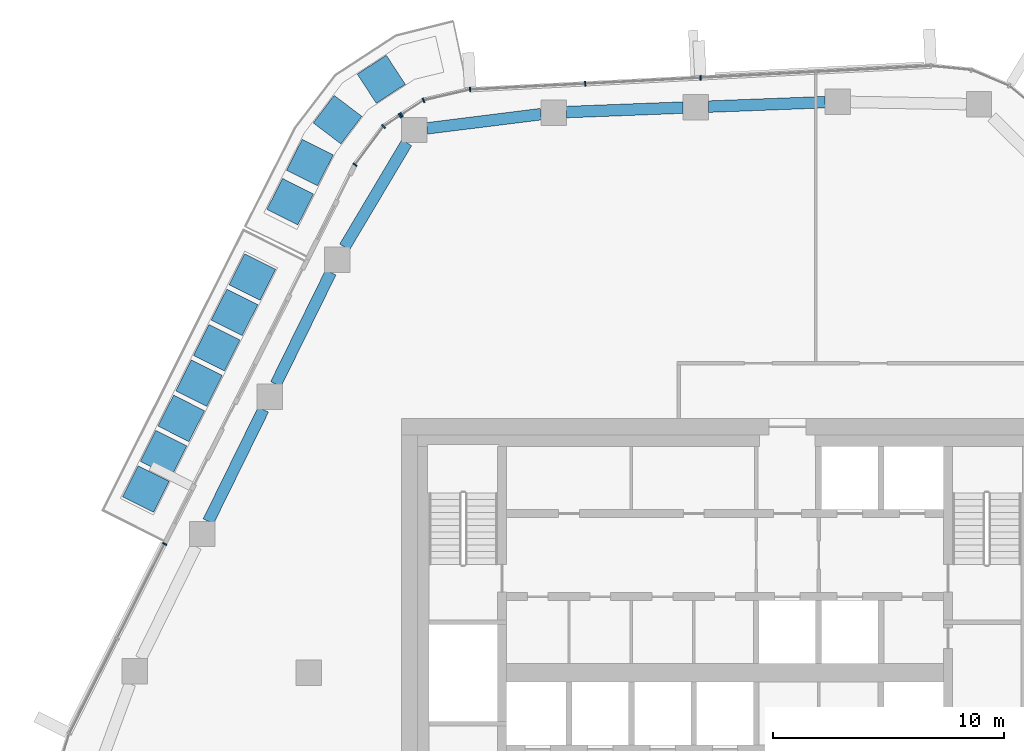
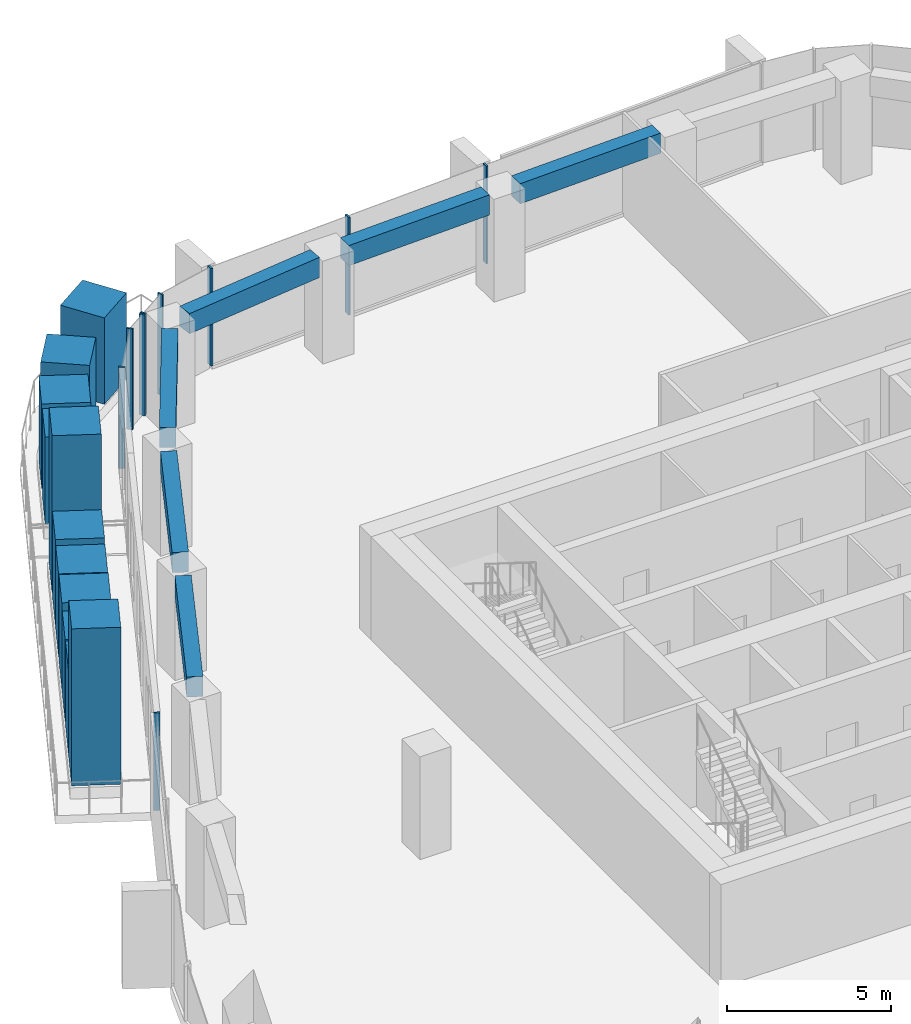
# One storey, part 7 of 22: 20 members, 6 beams, 4 elements without a shape of their own.
"""IFC4 building model written with IfcOpenShell, lengths in metres."""

from ifc_helpers import new_model, si_unit, direction, frame, origin, origin_2d, place, context, subcontext, project, spatial, rectangle, extrude, material, layer, layer_set, material_profile, profile_set, type_object, element, aggregate, save


model = new_model("IFC4")

# Units and contexts
model_context = context("Model", 3, precision=1e-05, world=origin(), true_north=direction((0.0, 1.0)))
body_context = subcontext(model_context, "Body", "Model", "MODEL_VIEW")
ifc_project = project(units=[si_unit("LENGTHUNIT", "METRE"), si_unit("AREAUNIT", "SQUARE_METRE"), si_unit("VOLUMEUNIT", "CUBIC_METRE"), si_unit("PLANEANGLEUNIT", "RADIAN"), si_unit("MASSUNIT", "GRAM", prefix="KILO")], contexts=[model_context])

# Site, building, storey
site_placement = place(None, origin())
site = spatial("IfcSite", under=ifc_project, at=site_placement, CompositionType="ELEMENT")
building_placement = place(site_placement, origin())
building = spatial("IfcBuilding", under=site, at=building_placement, Name="Dongbaek Canopy Tower", CompositionType="ELEMENT")
storey_placement = place(building_placement, frame((0.0, 0.0, 237.0)))
storey = spatial("IfcBuildingStorey", under=building, at=storey_placement, Name="L49", CompositionType="ELEMENT", Elevation=237.0)

# Curtain wall, members
ifc_material_1 = material(Name="Aluminium 6063-T6 pale anodised", Category="aluminium")
ifc_layer = layer(ifc_material_1, 0.199951171875)
ifc_layer_set = layer_set([ifc_layer], Name="CW-1 unitised tower curtain wall")
curtain_wall_type = type_object("IfcCurtainWallType", Name="CW-1 unitised tower curtain wall", PredefinedType="NOTDEFINED", material=ifc_layer_set)
curtain_wall_1_placement = place(storey_placement, origin())
curtain_wall_1 = element("IfcCurtainWall", 1, at=curtain_wall_1_placement, inside=storey, type_object=curtain_wall_type, Name="CW-1 curtain wall F1.1", PredefinedType="NOTDEFINED")
ifc_material_2 = material(Name="Aluminium 6063-T6 pale anodised", Category="aluminium")
ifc_material_profile_1 = material_profile(ifc_material_2, rectangle(XDim=0.199951171875, YDim=0.06005859375, at=origin_2d()), Name="CW-1 mullion 60 x 200")
ifc_profile_set_1 = profile_set([ifc_material_profile_1], Name="Aluminium 6063-T6 pale anodised")
member_type_1 = type_object("IfcMemberType", Name="CW-1 mullion 60 x 200", PredefinedType="MULLION", material=ifc_profile_set_1)
member_1_placement = place(storey_placement, frame((-1.058349609375, 25.747802734375, 0.1201171875), z_axis=(0.0, 0.0, 1.0), x_axis=(-0.051171421559, 0.998689884607, 0.0)))
member_1 = element("IfcMember", 2, at=member_1_placement, type_object=member_type_1, Name="CW-1 mullion F1.1.3", PredefinedType="MULLION", context=body_context, shape_type="SweptSolid", body=[
    extrude(rectangle(XDim=0.199951171875, YDim=0.06005859375, at=origin_2d()), origin(), (0.0, 0.0, 1.0), 3.6298828125),
])
member_2_placement = place(storey_placement, frame((-6.045654296875, 25.492431640625, 0.1201171875), z_axis=(0.0, 0.0, 1.0), x_axis=(-0.051171421559, 0.998689884607, 0.0)))
member_2 = element("IfcMember", 3, at=member_2_placement, type_object=member_type_1, Name="CW-1 mullion F1.1.4", PredefinedType="MULLION", context=body_context, shape_type="SweptSolid", body=[
    extrude(rectangle(XDim=0.199951171875, YDim=0.06005859375, at=origin_2d()), origin(), (0.0, 0.0, 1.0), 3.6298828125),
])
member_3_placement = place(storey_placement, frame((-11.024169921875, 25.2373046875, 0.1201171875), z_axis=(0.0, 0.0, 1.0), x_axis=(-0.051171421559, 0.998689884607, 0.0)))
member_3 = element("IfcMember", 4, at=member_3_placement, type_object=member_type_1, Name="CW-1 mullion F1.1.5", PredefinedType="MULLION", context=body_context, shape_type="SweptSolid", body=[
    extrude(rectangle(XDim=0.199951171875, YDim=0.06005859375, at=origin_2d()), origin(), (0.0, 0.0, 1.0), 3.6298828125),
])
aggregate(curtain_wall_1, [member_1, member_2, member_3])

curtain_wall_2_placement = place(storey_placement, origin())
curtain_wall_2 = element("IfcCurtainWall", 5, at=curtain_wall_2_placement, inside=storey, type_object=curtain_wall_type, Name="CW-1 curtain wall K2.1a", PredefinedType="NOTDEFINED")
member_4_placement = place(storey_placement, frame((-13.041748046875, 24.771484375, 0.0), z_axis=(0.0, 0.0, 1.0), x_axis=(-0.391762610491, 0.920066332946, 0.0)))
member_4 = element("IfcMember", 6, at=member_4_placement, type_object=member_type_1, Name="CW-1 mullion K2.1a.2", PredefinedType="MULLION", context=body_context, shape_type="SweptSolid", body=[
    extrude(rectangle(XDim=0.199951171875, YDim=0.06005859375, at=origin_2d()), origin(), (0.0, 0.0, 1.0), 3.75),
])
member_5_placement = place(storey_placement, frame((-13.994384765625, 24.14990234375, 0.0), z_axis=(0.0, 0.0, 1.0), x_axis=(-0.546536631238, 0.83743519792, 0.0)))
member_5 = element("IfcMember", 7, at=member_5_placement, type_object=member_type_1, Name="CW-1 mullion K2.1a.3", PredefinedType="MULLION", context=body_context, shape_type="SweptSolid", body=[
    extrude(rectangle(XDim=0.199951171875, YDim=0.06005859375, at=origin_2d()), origin(), (0.0, 0.0, 1.0), 3.75),
])
aggregate(curtain_wall_2, [member_4, member_5])

curtain_wall_3_placement = place(storey_placement, origin())
curtain_wall_3 = element("IfcCurtainWall", 8, at=curtain_wall_3_placement, inside=storey, type_object=curtain_wall_type, Name="CW-1 curtain wall K2.1b", PredefinedType="NOTDEFINED")
member_6_placement = place(storey_placement, frame((-14.06298828125, 24.10498046875, 0.0), z_axis=(0.0, 0.0, 1.0), x_axis=(-0.546536631238, 0.83743519792, 0.0)))
member_6 = element("IfcMember", 9, at=member_6_placement, type_object=member_type_1, Name="CW-1 mullion K2.1b.1", PredefinedType="MULLION", context=body_context, shape_type="SweptSolid", body=[
    extrude(rectangle(XDim=0.199951171875, YDim=0.06005859375, at=origin_2d()), origin(), (0.0, 0.0, 1.0), 3.75),
])
member_7_placement = place(storey_placement, frame((-14.768310546875, 23.644775390625, 0.0), z_axis=(0.0, 0.0, 1.0), x_axis=(-0.684486668453, 0.729025377275, 0.0)))
member_7 = element("IfcMember", 10, at=member_7_placement, type_object=member_type_1, Name="CW-1 mullion K2.1b.2", PredefinedType="MULLION", context=body_context, shape_type="SweptSolid", body=[
    extrude(rectangle(XDim=0.199951171875, YDim=0.06005859375, at=origin_2d()), origin(), (0.0, 0.0, 1.0), 3.75),
])
member_8_placement = place(storey_placement, frame((-16.007080078125, 21.9853515625, 0.0), z_axis=(0.0, 0.0, 1.0), x_axis=(-0.801366219635, 0.598174039914, 0.0)))
member_8 = element("IfcMember", 11, at=member_8_placement, type_object=member_type_1, Name="CW-1 mullion K2.1b.3", PredefinedType="MULLION", context=body_context, shape_type="SweptSolid", body=[
    extrude(rectangle(XDim=0.199951171875, YDim=0.06005859375, at=origin_2d()), origin(), (0.0, 0.0, 1.0), 3.75),
])
aggregate(curtain_wall_3, [member_6, member_7, member_8])

# Curtain wall, member
curtain_wall_4_placement = place(storey_placement, origin())
curtain_wall_4 = element("IfcCurtainWall", 12, at=curtain_wall_4_placement, inside=storey, type_object=curtain_wall_type, Name="CW-1 curtain wall F2.1", PredefinedType="NOTDEFINED")
member_9_placement = place(storey_placement, frame((-24.24609375, 5.5849609375, 0.1201171875), z_axis=(0.0, 0.0, 1.0), x_axis=(-0.893577393042, 0.448909169704, 0.0)))
member_9 = element("IfcMember", 13, at=member_9_placement, type_object=member_type_1, Name="CW-1 mullion F2.1.1", PredefinedType="MULLION", context=body_context, shape_type="SweptSolid", body=[
    extrude(rectangle(XDim=0.199951171875, YDim=0.06005859375, at=origin_2d()), origin(), (0.0, 0.0, 1.0), 3.6298828125),
])
aggregate(curtain_wall_4, [member_9])

# Beams
ifc_material_3 = material(Name="Concrete C70", Category="concrete")
ifc_material_profile_2 = material_profile(ifc_material_3, rectangle(XDim=0.5, YDim=0.75, at=origin_2d()), Name="RC EDGE BEAM 500x750 C70")
ifc_profile_set_2 = profile_set([ifc_material_profile_2], Name="Concrete C70")
beam_type = type_object("IfcBeamType", Name="RC EDGE BEAM 500x750 C70", PredefinedType="BEAM", material=ifc_profile_set_2)
beam_1_placement = place(storey_placement, frame((-22.350341796875, 6.56103515625, 3.445068359375), z_axis=(0.441366916234, 0.897326721576, 0.0), x_axis=(-0.897326721576, 0.441366916234, 0.0)))
element("IfcBeam", 14, at=beam_1_placement, inside=storey, type_object=beam_type, Name="EDGEBEAM:L49:10", PredefinedType="BEAM", context=body_context, shape_type="SweptSolid", body=[
    extrude(rectangle(XDim=0.5, YDim=0.75, at=origin_2d()), origin(), (0.0, 0.0, 1.0), 5.38720703125),
])
beam_2_placement = place(storey_placement, frame((-19.431396484375, 12.4951171875, 3.445068359375), z_axis=(0.441347181793, 0.89733642806, 0.0), x_axis=(-0.89733642806, 0.441347181793, 0.0)))
element("IfcBeam", 15, at=beam_2_placement, inside=storey, type_object=beam_type, Name="EDGEBEAM:L49:11", PredefinedType="BEAM", context=body_context, shape_type="SweptSolid", body=[
    extrude(rectangle(XDim=0.5, YDim=0.75, at=origin_2d()), origin(), (0.0, 0.0, 1.0), 5.3857421875),
])
beam_3_placement = place(storey_placement, frame((-16.45654296875, 18.427978515625, 3.445068359375), z_axis=(0.511587639318, 0.85923110238, 0.0), x_axis=(-0.85923110238, 0.511587639318, 0.0)))
element("IfcBeam", 16, at=beam_3_placement, inside=storey, type_object=beam_type, Name="EDGEBEAM:L49:12", PredefinedType="BEAM", context=body_context, shape_type="SweptSolid", body=[
    extrude(rectangle(XDim=0.5, YDim=0.75, at=origin_2d()), origin(), (0.0, 0.0, 1.0), 5.252197265625),
])
beam_4_placement = place(storey_placement, frame((-12.89208984375, 23.5595703125, 3.445068359375), z_axis=(0.992305840698, 0.123810817446, 0.0), x_axis=(-0.123810817446, 0.992305840698, 0.0)))
element("IfcBeam", 17, at=beam_4_placement, inside=storey, type_object=beam_type, Name="EDGEBEAM:L49:13", PredefinedType="BEAM", context=body_context, shape_type="SweptSolid", body=[
    extrude(rectangle(XDim=0.5, YDim=0.75, at=origin_2d()), origin(), (0.0, 0.0, 1.0), 4.965087890625),
])
for number, where, z_axis, x_axis, name in (
    (18, (-6.864990234375, 24.26416015625, 3.445068359375), (0.999263812988, 0.038364463397, 0.0), (-0.038364463397, 0.999263812988, 0.0), "EDGEBEAM:L49:14"),
    (19, (-0.716064453125, 24.5, 3.445068359375), (0.999269359521, 0.038219721647, 0.0), (-0.038219721647, 0.999269359521, 0.0), "EDGEBEAM:L49:15"),
):
    element("IfcBeam", number, at=place(storey_placement, frame(where, z_axis=z_axis, x_axis=x_axis)), inside=storey, type_object=beam_type, Name=name, PredefinedType="BEAM", context=body_context, shape_type="SweptSolid", body=[
        extrude(rectangle(XDim=0.5, YDim=0.75, at=origin_2d()), origin(), (0.0, 0.0, 1.0), 5.052734375),
    ])

# Members
ifc_material_4 = material(Name="Concrete C40/50 planter mass with planting", Category="concrete")
ifc_material_profile_3 = material_profile(ifc_material_4, rectangle(XDim=1.5, YDim=1.5, at=origin_2d()), Name="Terrace PLANTER shrub mass 1500 x 1500")
ifc_profile_set_3 = profile_set([ifc_material_profile_3], Name="Concrete C40/50 planter mass with planting")
member_type_2 = type_object("IfcMemberType", Name="Terrace PLANTER shrub mass 1500 x 1500", PredefinedType="USERDEFINED", material=ifc_profile_set_3)
member_10_placement = place(storey_placement, frame((-20.451171875, 17.126220703125, 0.419921875), z_axis=(0.0, 0.0, 1.0), x_axis=(-0.893577393042, 0.448909169704, 0.0)))
element("IfcMember", 20, at=member_10_placement, inside=storey, type_object=member_type_2, Name="Planter tree L49 1.1", ObjectType="PLANTER", PredefinedType="USERDEFINED", context=body_context, shape_type="SweptSolid", body=[
    extrude(rectangle(XDim=1.5, YDim=1.5, at=origin_2d()), origin(), (0.0, 0.0, 1.0), 5.830078125),
])
member_11_placement = place(storey_placement, frame((-21.218994140625, 15.59814453125, 0.419921875), z_axis=(0.0, 0.0, 1.0), x_axis=(-0.893577393042, 0.448909169704, 0.0)))
element("IfcMember", 21, at=member_11_placement, inside=storey, type_object=member_type_2, Name="Planter shrubs L49 1.2", ObjectType="PLANTER", PredefinedType="USERDEFINED", context=body_context, shape_type="SweptSolid", body=[
    extrude(rectangle(XDim=1.5, YDim=1.5, at=origin_2d()), origin(), (0.0, 0.0, 1.0), 3.170166015625),
])
member_12_placement = place(storey_placement, frame((-21.98681640625, 14.06982421875, 0.419921875), z_axis=(0.0, 0.0, 1.0), x_axis=(-0.893577393042, 0.448909169704, 0.0)))
element("IfcMember", 22, at=member_12_placement, inside=storey, type_object=member_type_2, Name="Planter shrubs L49 1.3", ObjectType="PLANTER", PredefinedType="USERDEFINED", context=body_context, shape_type="SweptSolid", body=[
    extrude(rectangle(XDim=1.5, YDim=1.5, at=origin_2d()), origin(), (0.0, 0.0, 1.0), 3.090087890625),
])
member_13_placement = place(storey_placement, frame((-22.75439453125, 12.54150390625, 0.419921875), z_axis=(0.0, 0.0, 1.0), x_axis=(-0.893577393042, 0.448909169704, 0.0)))
element("IfcMember", 23, at=member_13_placement, inside=storey, type_object=member_type_2, Name="Planter shrubs L49 1.4", ObjectType="PLANTER", PredefinedType="USERDEFINED", context=body_context, shape_type="SweptSolid", body=[
    extrude(rectangle(XDim=1.5, YDim=1.5, at=origin_2d()), origin(), (0.0, 0.0, 1.0), 3.2099609375),
])
member_14_placement = place(storey_placement, frame((-23.522216796875, 11.01318359375, 0.419921875), z_axis=(0.0, 0.0, 1.0), x_axis=(-0.893577393042, 0.448909169704, 0.0)))
element("IfcMember", 24, at=member_14_placement, inside=storey, type_object=member_type_2, Name="Planter shrubs L49 1.5", ObjectType="PLANTER", PredefinedType="USERDEFINED", context=body_context, shape_type="SweptSolid", body=[
    extrude(rectangle(XDim=1.5, YDim=1.5, at=origin_2d()), origin(), (0.0, 0.0, 1.0), 3.050048828125),
])
member_15_placement = place(storey_placement, frame((-24.2900390625, 9.485107421875, 0.419921875), z_axis=(0.0, 0.0, 1.0), x_axis=(-0.893577393042, 0.448909169704, 0.0)))
element("IfcMember", 25, at=member_15_placement, inside=storey, type_object=member_type_2, Name="Planter shrubs L49 1.6", ObjectType="PLANTER", PredefinedType="USERDEFINED", context=body_context, shape_type="SweptSolid", body=[
    extrude(rectangle(XDim=1.5, YDim=1.5, at=origin_2d()), origin(), (0.0, 0.0, 1.0), 3.130126953125),
])
member_16_placement = place(storey_placement, frame((-25.0576171875, 7.956787109375, 0.419921875), z_axis=(0.0, 0.0, 1.0), x_axis=(-0.893577393042, 0.448909169704, 0.0)))
element("IfcMember", 26, at=member_16_placement, inside=storey, type_object=member_type_2, Name="Planter tree L49 1.7", ObjectType="PLANTER", PredefinedType="USERDEFINED", context=body_context, shape_type="SweptSolid", body=[
    extrude(rectangle(XDim=1.5, YDim=1.5, at=origin_2d()), origin(), (0.0, 0.0, 1.0), 5.830078125),
])
member_17_placement = place(storey_placement, frame((-14.869140625, 25.685302734375, 0.419921875), z_axis=(0.0, 0.0, 1.0), x_axis=(-0.546536631238, 0.83743519792, 0.0)))
element("IfcMember", 27, at=member_17_placement, inside=storey, type_object=member_type_2, Name="Planter shrubs L49 4.1", ObjectType="PLANTER", PredefinedType="USERDEFINED", context=body_context, shape_type="SweptSolid", body=[
    extrude(rectangle(XDim=1.5, YDim=1.5, at=origin_2d()), origin(), (0.0, 0.0, 1.0), 3.2099609375),
])
member_18_placement = place(storey_placement, frame((-16.762451171875, 23.9384765625, 0.419921875), z_axis=(0.0, 0.0, 1.0), x_axis=(-0.796753054147, 0.604305031179, 0.0)))
element("IfcMember", 28, at=member_18_placement, inside=storey, type_object=member_type_2, Name="Planter shrubs L49 4.2", ObjectType="PLANTER", PredefinedType="USERDEFINED", context=body_context, shape_type="SweptSolid", body=[
    extrude(rectangle(XDim=1.5, YDim=1.5, at=origin_2d()), origin(), (0.0, 0.0, 1.0), 3.050048828125),
])
member_19_placement = place(storey_placement, frame((-17.956787109375, 22.08056640625, 0.419921875), z_axis=(0.0, 0.0, 1.0), x_axis=(-0.892804113831, 0.450445129096, 0.0)))
element("IfcMember", 29, at=member_19_placement, inside=storey, type_object=member_type_2, Name="Planter shrubs L49 4.3", ObjectType="PLANTER", PredefinedType="USERDEFINED", context=body_context, shape_type="SweptSolid", body=[
    extrude(rectangle(XDim=1.5, YDim=1.5, at=origin_2d()), origin(), (0.0, 0.0, 1.0), 3.130126953125),
])
member_20_placement = place(storey_placement, frame((-18.810302734375, 20.38916015625, 0.419921875), z_axis=(0.0, 0.0, 1.0), x_axis=(-0.892804113831, 0.450445129096, 0.0)))
element("IfcMember", 30, at=member_20_placement, inside=storey, type_object=member_type_2, Name="Planter shrubs L49 4.4", ObjectType="PLANTER", PredefinedType="USERDEFINED", context=body_context, shape_type="SweptSolid", body=[
    extrude(rectangle(XDim=1.5, YDim=1.5, at=origin_2d()), origin(), (0.0, 0.0, 1.0), 3.22998046875),
])

save(model, "model.ifc")
